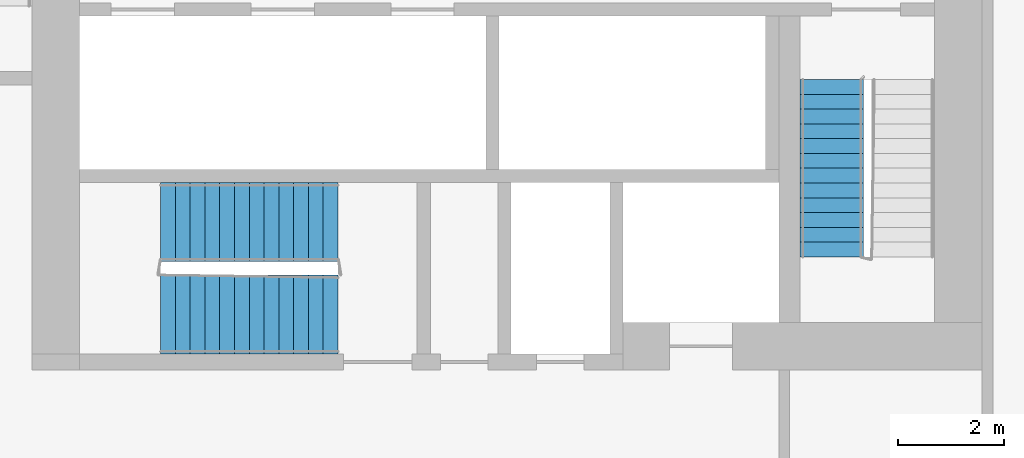
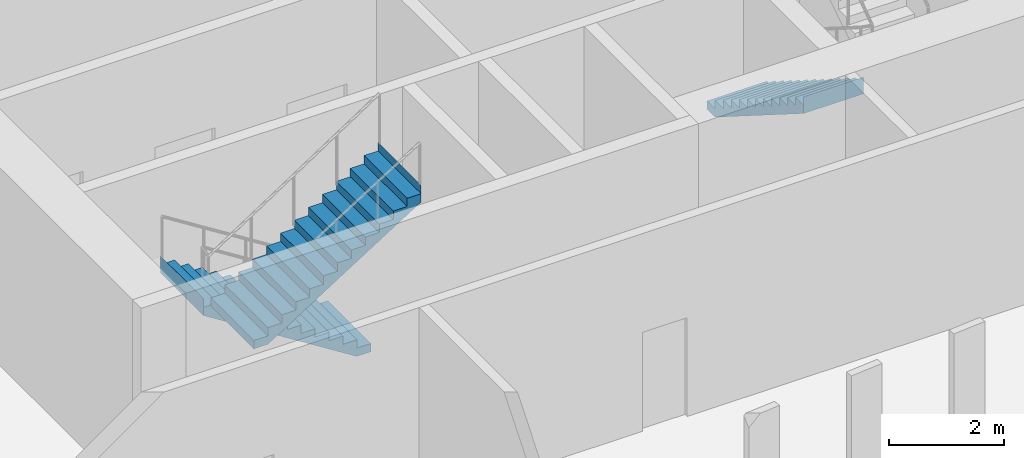
# One storey, part 17 of 22: 3 stair flights, 2 elements without a shape of their own.
"""IFC4 building model written with IfcOpenShell, lengths in metres."""

from ifc_helpers import new_model, si_unit, direction, frame, origin, place, context, subcontext, project, spatial, faceted_brep, material, type_object, element, aggregate, save


model = new_model("IFC4")

# Units and contexts
model_context = context("Model", 3, precision=1e-05, world=origin(), true_north=direction((0.0, 1.0)))
body_context = subcontext(model_context, "Body", "Model", "MODEL_VIEW")
ifc_project = project(units=[si_unit("LENGTHUNIT", "METRE"), si_unit("AREAUNIT", "SQUARE_METRE"), si_unit("VOLUMEUNIT", "CUBIC_METRE"), si_unit("PLANEANGLEUNIT", "RADIAN"), si_unit("MASSUNIT", "GRAM", prefix="KILO")], contexts=[model_context])

# Site, building, storey
site_placement = place(None, origin())
site = spatial("IfcSite", under=ifc_project, at=site_placement, CompositionType="ELEMENT")
building_placement = place(site_placement, origin())
building = spatial("IfcBuilding", under=site, at=building_placement, Name="Kajstack Hotel Tower", CompositionType="ELEMENT")
storey_placement = place(building_placement, frame((0.0, 0.0, 150.39990234375)))
storey = spatial("IfcBuildingStorey", under=building, at=storey_placement, Name="L35", CompositionType="ELEMENT", Elevation=150.39990234375)

# Stair, stair flight
ifc_material = material(Name="Concrete C40/50", Category="concrete")
stair_type_1 = type_object("IfcStairType", Name="Exit stair 1200", PredefinedType="HALF_TURN_STAIR", material=ifc_material)
stair_1_placement = place(storey_placement, origin())
stair_1 = element("IfcStair", 1, at=stair_1_placement, inside=storey, type_object=stair_type_1, Name="L35 stair W2", PredefinedType="HALF_TURN_STAIR")
stair_flight_type_1 = type_object("IfcStairFlightType", Name="Exit stair flight 1200", PredefinedType="STRAIGHT", material=ifc_material)
stair_flight_1_placement = place(storey_placement, frame((-16.35009765625, -10.0, 0.0), z_axis=(0.0, 0.0, 1.0), x_axis=(0.0, -1.0, 0.0)))
stair_flight_1 = element("IfcStairFlight", 2, at=stair_flight_1_placement, type_object=stair_flight_type_1, Name="W2 flight 1", NumberOfRisers=13, NumberOfTreads=12, PredefinedType="STRAIGHT", RiserHeight=0.176923077, TreadLength=0.28, context=body_context, shape_type="Brep", body=[
    faceted_brep([(0.281005859375, -0.60009765625, 0.0), (3.360595703125, -0.60009765625, 1.94580078125), (3.360595703125, -0.60009765625, 2.300048828125), (3.360107421875, -0.60009765625, 2.300048828125), (3.360107421875, -0.60009765625, 2.123046875), (3.080078125, -0.60009765625, 2.123046875), (3.080078125, -0.60009765625, 1.946044921875), (2.800048828125, -0.60009765625, 1.946044921875), (2.800048828125, -0.60009765625, 1.769287109375), (2.52001953125, -0.60009765625, 1.769287109375), (2.52001953125, -0.60009765625, 1.59228515625), (2.239990234375, -0.60009765625, 1.59228515625), (2.239990234375, -0.60009765625, 1.415283203125), (1.9599609375, -0.60009765625, 1.415283203125), (1.9599609375, -0.60009765625, 1.238525390625), (1.679931640625, -0.60009765625, 1.238525390625), (1.679931640625, -0.60009765625, 1.0615234375), (1.39990234375, -0.60009765625, 1.0615234375), (1.39990234375, -0.60009765625, 0.884521484375), (1.1201171875, -0.60009765625, 0.884521484375), (1.1201171875, -0.60009765625, 0.707763671875), (0.840087890625, -0.60009765625, 0.707763671875), (0.840087890625, -0.60009765625, 0.53076171875), (0.56005859375, -0.60009765625, 0.53076171875), (0.56005859375, -0.60009765625, 0.353759765625), (0.280029296875, -0.60009765625, 0.353759765625), (0.280029296875, -0.60009765625, 0.177001953125), (-0.00048828125, -0.60009765625, 0.177001953125), (-0.00048828125, -0.60009765625, 0.0), (-0.00048828125, 0.60009765625, 0.0), (-0.00048828125, 0.60009765625, 0.177001953125), (0.280029296875, 0.60009765625, 0.177001953125), (0.280029296875, 0.60009765625, 0.353759765625), (0.56005859375, 0.60009765625, 0.353759765625), (0.56005859375, 0.60009765625, 0.53076171875), (0.840087890625, 0.60009765625, 0.53076171875), (0.840087890625, 0.60009765625, 0.707763671875), (1.1201171875, 0.60009765625, 0.707763671875), (1.1201171875, 0.60009765625, 0.884521484375), (1.39990234375, 0.60009765625, 0.884521484375), (1.39990234375, 0.60009765625, 1.0615234375), (1.679931640625, 0.60009765625, 1.0615234375), (1.679931640625, 0.60009765625, 1.238525390625), (1.9599609375, 0.60009765625, 1.238525390625), (1.9599609375, 0.60009765625, 1.415283203125), (2.239990234375, 0.60009765625, 1.415283203125), (2.239990234375, 0.60009765625, 1.59228515625), (2.52001953125, 0.60009765625, 1.59228515625), (2.52001953125, 0.60009765625, 1.769287109375), (2.800048828125, 0.60009765625, 1.769287109375), (2.800048828125, 0.60009765625, 1.946044921875), (3.080078125, 0.60009765625, 1.946044921875), (3.080078125, 0.60009765625, 2.123046875), (3.360107421875, 0.60009765625, 2.123046875), (3.360107421875, 0.60009765625, 2.300048828125), (3.360595703125, 0.60009765625, 2.300048828125), (3.360595703125, 0.60009765625, 1.94580078125), (0.281005859375, 0.60009765625, 0.0), (-0.00048828125, -0.300048828125, 0.177001953125), (-0.00048828125, 0.0, 0.177001953125), (-0.00048828125, 0.300048828125, 0.177001953125), (-0.00048828125, 0.300048828125, 0.0), (-0.00048828125, 0.0, 0.0), (-0.00048828125, -0.300048828125, 0.0), (0.280029296875, -0.300048828125, 0.177001953125), (0.280029296875, 0.0, 0.177001953125), (0.280029296875, 0.300048828125, 0.177001953125), (0.280029296875, -0.300048828125, 0.353759765625), (0.280029296875, 0.0, 0.353759765625), (0.280029296875, 0.300048828125, 0.353759765625), (0.56005859375, -0.300048828125, 0.353759765625), (0.56005859375, 0.0, 0.353759765625), (0.56005859375, 0.300048828125, 0.353759765625), (0.56005859375, -0.300048828125, 0.53076171875), (0.56005859375, 0.0, 0.53076171875), (0.56005859375, 0.300048828125, 0.53076171875), (0.840087890625, -0.300048828125, 0.53076171875), (0.840087890625, 0.0, 0.53076171875), (0.840087890625, 0.300048828125, 0.53076171875), (0.840087890625, -0.300048828125, 0.707763671875), (0.840087890625, 0.0, 0.707763671875), (0.840087890625, 0.300048828125, 0.707763671875), (1.1201171875, -0.300048828125, 0.707763671875), (1.1201171875, 0.0, 0.707763671875), (1.1201171875, 0.300048828125, 0.707763671875), (1.1201171875, -0.300048828125, 0.884521484375), (1.1201171875, 0.0, 0.884521484375), (1.1201171875, 0.300048828125, 0.884521484375), (1.39990234375, -0.300048828125, 0.884521484375), (1.39990234375, 0.0, 0.884521484375), (1.39990234375, 0.300048828125, 0.884521484375), (1.39990234375, -0.300048828125, 1.0615234375), (1.39990234375, 0.0, 1.0615234375), (1.39990234375, 0.300048828125, 1.0615234375), (1.679931640625, -0.300048828125, 1.0615234375), (1.679931640625, 0.0, 1.0615234375), (1.679931640625, 0.300048828125, 1.0615234375), (1.679931640625, -0.300048828125, 1.238525390625), (1.679931640625, 0.0, 1.238525390625), (1.679931640625, 0.300048828125, 1.238525390625), (1.9599609375, -0.300048828125, 1.238525390625), (1.9599609375, 0.0, 1.238525390625), (1.9599609375, 0.300048828125, 1.238525390625), (1.9599609375, -0.300048828125, 1.415283203125), (1.9599609375, 0.0, 1.415283203125), (1.9599609375, 0.300048828125, 1.415283203125), (2.239990234375, -0.300048828125, 1.415283203125), (2.239990234375, 0.0, 1.415283203125), (2.239990234375, 0.300048828125, 1.415283203125), (2.239990234375, -0.300048828125, 1.59228515625), (2.239990234375, 0.0, 1.59228515625), (2.239990234375, 0.300048828125, 1.59228515625), (2.52001953125, -0.300048828125, 1.59228515625), (2.52001953125, 0.0, 1.59228515625), (2.52001953125, 0.300048828125, 1.59228515625), (2.52001953125, -0.300048828125, 1.769287109375), (2.52001953125, 0.0, 1.769287109375), (2.52001953125, 0.300048828125, 1.769287109375), (2.800048828125, -0.300048828125, 1.769287109375), (2.800048828125, 0.0, 1.769287109375), (2.800048828125, 0.300048828125, 1.769287109375), (2.800048828125, -0.300048828125, 1.946044921875), (2.800048828125, 0.0, 1.946044921875), (2.800048828125, 0.300048828125, 1.946044921875), (3.080078125, -0.300048828125, 1.946044921875), (3.080078125, 0.0, 1.946044921875), (3.080078125, 0.300048828125, 1.946044921875), (3.080078125, -0.300048828125, 2.123046875), (3.080078125, 0.0, 2.123046875), (3.080078125, 0.300048828125, 2.123046875), (3.360107421875, -0.300048828125, 2.123046875), (3.360107421875, 0.0, 2.123046875), (3.360107421875, 0.300048828125, 2.123046875), (3.360107421875, -0.300048828125, 2.300048828125), (3.360107421875, 0.0, 2.300048828125), (3.360107421875, 0.300048828125, 2.300048828125), (3.360595703125, -0.300048828125, 2.300048828125), (3.360595703125, 0.0, 2.300048828125), (3.360595703125, 0.300048828125, 2.300048828125), (3.360595703125, -0.300048828125, 1.94580078125), (3.360595703125, 0.0, 1.94580078125), (3.360595703125, 0.300048828125, 1.94580078125), (0.281005859375, -0.300048828125, 0.0), (0.281005859375, 0.0, 0.0), (0.281005859375, 0.300048828125, 0.0)], [[[0, 1, 2, 3, 4, 5, 6, 7, 8, 9, 10, 11, 12, 13, 14, 15, 16, 17, 18, 19, 20, 21, 22, 23, 24, 25, 26, 27, 28]], [[29, 30, 31, 32, 33, 34, 35, 36, 37, 38, 39, 40, 41, 42, 43, 44, 45, 46, 47, 48, 49, 50, 51, 52, 53, 54, 55, 56, 57]], [[27, 58, 59, 60, 30, 29, 61, 62, 63, 28]], [[26, 64, 65, 66, 31, 30, 60, 59, 58, 27]], [[25, 67, 68, 69, 32, 31, 66, 65, 64, 26]], [[24, 70, 71, 72, 33, 32, 69, 68, 67, 25]], [[23, 73, 74, 75, 34, 33, 72, 71, 70, 24]], [[22, 76, 77, 78, 35, 34, 75, 74, 73, 23]], [[21, 79, 80, 81, 36, 35, 78, 77, 76, 22]], [[20, 82, 83, 84, 37, 36, 81, 80, 79, 21]], [[19, 85, 86, 87, 38, 37, 84, 83, 82, 20]], [[18, 88, 89, 90, 39, 38, 87, 86, 85, 19]], [[17, 91, 92, 93, 40, 39, 90, 89, 88, 18]], [[16, 94, 95, 96, 41, 40, 93, 92, 91, 17]], [[15, 97, 98, 99, 42, 41, 96, 95, 94, 16]], [[14, 100, 101, 102, 43, 42, 99, 98, 97, 15]], [[13, 103, 104, 105, 44, 43, 102, 101, 100, 14]], [[12, 106, 107, 108, 45, 44, 105, 104, 103, 13]], [[11, 109, 110, 111, 46, 45, 108, 107, 106, 12]], [[10, 112, 113, 114, 47, 46, 111, 110, 109, 11]], [[9, 115, 116, 117, 48, 47, 114, 113, 112, 10]], [[8, 118, 119, 120, 49, 48, 117, 116, 115, 9]], [[7, 121, 122, 123, 50, 49, 120, 119, 118, 8]], [[6, 124, 125, 126, 51, 50, 123, 122, 121, 7]], [[5, 127, 128, 129, 52, 51, 126, 125, 124, 6]], [[4, 130, 131, 132, 53, 52, 129, 128, 127, 5]], [[3, 133, 134, 135, 54, 53, 132, 131, 130, 4]], [[2, 136, 137, 138, 55, 54, 135, 134, 133, 3]], [[1, 139, 140, 141, 56, 55, 138, 137, 136, 2]], [[0, 142, 143, 144, 57, 56, 141, 140, 139, 1]], [[28, 63, 62, 61, 29, 57, 144, 143, 142, 0]]]),
])
aggregate(stair_1, [stair_flight_1])

# Stair, stair flights
stair_type_2 = type_object("IfcStairType", Name="Exit stair 1500", PredefinedType="HALF_TURN_STAIR", material=ifc_material)
stair_2_placement = place(storey_placement, origin())
stair_2 = element("IfcStair", 3, at=stair_2_placement, inside=storey, type_object=stair_type_2, Name="L35 stair W3", PredefinedType="HALF_TURN_STAIR")
stair_flight_type_2 = type_object("IfcStairFlightType", Name="Exit stair flight 1500", PredefinedType="STRAIGHT", material=ifc_material)
stair_flight_2_placement = place(storey_placement, frame((-25.699951171875, -12.699951171875, 0.0), z_axis=(0.0, 0.0, 1.0), x_axis=(-1.0, 0.0, 0.0)))
stair_flight_2 = element("IfcStairFlight", 4, at=stair_flight_2_placement, type_object=stair_flight_type_2, Name="W3 flight 1", NumberOfRisers=13, NumberOfTreads=12, PredefinedType="STRAIGHT", RiserHeight=0.176923077, TreadLength=0.28, context=body_context, shape_type="Brep", body=[
    faceted_brep([(0.281005859375, -0.75, 0.0), (3.360595703125, -0.75, 1.94580078125), (3.360595703125, -0.75, 2.300048828125), (3.360107421875, -0.75, 2.300048828125), (3.360107421875, -0.75, 2.123046875), (3.080078125, -0.75, 2.123046875), (3.080078125, -0.75, 1.946044921875), (2.800048828125, -0.75, 1.946044921875), (2.800048828125, -0.75, 1.769287109375), (2.52001953125, -0.75, 1.769287109375), (2.52001953125, -0.75, 1.59228515625), (2.239990234375, -0.75, 1.59228515625), (2.239990234375, -0.75, 1.415283203125), (1.9599609375, -0.75, 1.415283203125), (1.9599609375, -0.75, 1.238525390625), (1.679931640625, -0.75, 1.238525390625), (1.679931640625, -0.75, 1.0615234375), (1.39990234375, -0.75, 1.0615234375), (1.39990234375, -0.75, 0.884521484375), (1.1201171875, -0.75, 0.884521484375), (1.1201171875, -0.75, 0.707763671875), (0.840087890625, -0.75, 0.707763671875), (0.840087890625, -0.75, 0.53076171875), (0.56005859375, -0.75, 0.53076171875), (0.56005859375, -0.75, 0.353759765625), (0.280029296875, -0.75, 0.353759765625), (0.280029296875, -0.75, 0.177001953125), (-0.00048828125, -0.75, 0.177001953125), (-0.00048828125, -0.75, 0.0), (-0.00048828125, 0.75, 0.0), (-0.00048828125, 0.75, 0.177001953125), (0.280029296875, 0.75, 0.177001953125), (0.280029296875, 0.75, 0.353759765625), (0.56005859375, 0.75, 0.353759765625), (0.56005859375, 0.75, 0.53076171875), (0.840087890625, 0.75, 0.53076171875), (0.840087890625, 0.75, 0.707763671875), (1.1201171875, 0.75, 0.707763671875), (1.1201171875, 0.75, 0.884521484375), (1.39990234375, 0.75, 0.884521484375), (1.39990234375, 0.75, 1.0615234375), (1.679931640625, 0.75, 1.0615234375), (1.679931640625, 0.75, 1.238525390625), (1.9599609375, 0.75, 1.238525390625), (1.9599609375, 0.75, 1.415283203125), (2.239990234375, 0.75, 1.415283203125), (2.239990234375, 0.75, 1.59228515625), (2.52001953125, 0.75, 1.59228515625), (2.52001953125, 0.75, 1.769287109375), (2.800048828125, 0.75, 1.769287109375), (2.800048828125, 0.75, 1.946044921875), (3.080078125, 0.75, 1.946044921875), (3.080078125, 0.75, 2.123046875), (3.360107421875, 0.75, 2.123046875), (3.360107421875, 0.75, 2.300048828125), (3.360595703125, 0.75, 2.300048828125), (3.360595703125, 0.75, 1.94580078125), (0.281005859375, 0.75, 0.0), (-0.00048828125, -0.375, 0.177001953125), (-0.00048828125, 0.0, 0.177001953125), (-0.00048828125, 0.375, 0.177001953125), (-0.00048828125, 0.375, 0.0), (-0.00048828125, 0.0, 0.0), (-0.00048828125, -0.375, 0.0), (0.280029296875, -0.375, 0.177001953125), (0.280029296875, 0.0, 0.177001953125), (0.280029296875, 0.375, 0.177001953125), (0.280029296875, -0.375, 0.353759765625), (0.280029296875, 0.0, 0.353759765625), (0.280029296875, 0.375, 0.353759765625), (0.56005859375, -0.375, 0.353759765625), (0.56005859375, 0.0, 0.353759765625), (0.56005859375, 0.375, 0.353759765625), (0.56005859375, -0.375, 0.53076171875), (0.56005859375, 0.0, 0.53076171875), (0.56005859375, 0.375, 0.53076171875), (0.840087890625, -0.375, 0.53076171875), (0.840087890625, 0.0, 0.53076171875), (0.840087890625, 0.375, 0.53076171875), (0.840087890625, -0.375, 0.707763671875), (0.840087890625, 0.0, 0.707763671875), (0.840087890625, 0.375, 0.707763671875), (1.1201171875, -0.375, 0.707763671875), (1.1201171875, 0.0, 0.707763671875), (1.1201171875, 0.375, 0.707763671875), (1.1201171875, -0.375, 0.884521484375), (1.1201171875, 0.0, 0.884521484375), (1.1201171875, 0.375, 0.884521484375), (1.39990234375, -0.375, 0.884521484375), (1.39990234375, 0.0, 0.884521484375), (1.39990234375, 0.375, 0.884521484375), (1.39990234375, -0.375, 1.0615234375), (1.39990234375, 0.0, 1.0615234375), (1.39990234375, 0.375, 1.0615234375), (1.679931640625, -0.375, 1.0615234375), (1.679931640625, 0.0, 1.0615234375), (1.679931640625, 0.375, 1.0615234375), (1.679931640625, -0.375, 1.238525390625), (1.679931640625, 0.0, 1.238525390625), (1.679931640625, 0.375, 1.238525390625), (1.9599609375, -0.375, 1.238525390625), (1.9599609375, 0.0, 1.238525390625), (1.9599609375, 0.375, 1.238525390625), (1.9599609375, -0.375, 1.415283203125), (1.9599609375, 0.0, 1.415283203125), (1.9599609375, 0.375, 1.415283203125), (2.239990234375, -0.375, 1.415283203125), (2.239990234375, 0.0, 1.415283203125), (2.239990234375, 0.375, 1.415283203125), (2.239990234375, -0.375, 1.59228515625), (2.239990234375, 0.0, 1.59228515625), (2.239990234375, 0.375, 1.59228515625), (2.52001953125, -0.375, 1.59228515625), (2.52001953125, 0.0, 1.59228515625), (2.52001953125, 0.375, 1.59228515625), (2.52001953125, -0.375, 1.769287109375), (2.52001953125, 0.0, 1.769287109375), (2.52001953125, 0.375, 1.769287109375), (2.800048828125, -0.375, 1.769287109375), (2.800048828125, 0.0, 1.769287109375), (2.800048828125, 0.375, 1.769287109375), (2.800048828125, -0.375, 1.946044921875), (2.800048828125, 0.0, 1.946044921875), (2.800048828125, 0.375, 1.946044921875), (3.080078125, -0.375, 1.946044921875), (3.080078125, 0.0, 1.946044921875), (3.080078125, 0.375, 1.946044921875), (3.080078125, -0.375, 2.123046875), (3.080078125, 0.0, 2.123046875), (3.080078125, 0.375, 2.123046875), (3.360107421875, -0.375, 2.123046875), (3.360107421875, 0.0, 2.123046875), (3.360107421875, 0.375, 2.123046875), (3.360107421875, -0.375, 2.300048828125), (3.360107421875, 0.0, 2.300048828125), (3.360107421875, 0.375, 2.300048828125), (3.360595703125, -0.375, 2.300048828125), (3.360595703125, 0.0, 2.300048828125), (3.360595703125, 0.375, 2.300048828125), (3.360595703125, -0.375, 1.94580078125), (3.360595703125, 0.0, 1.94580078125), (3.360595703125, 0.375, 1.94580078125), (0.281005859375, -0.375, 0.0), (0.281005859375, 0.0, 0.0), (0.281005859375, 0.375, 0.0)], [[[0, 1, 2, 3, 4, 5, 6, 7, 8, 9, 10, 11, 12, 13, 14, 15, 16, 17, 18, 19, 20, 21, 22, 23, 24, 25, 26, 27, 28]], [[29, 30, 31, 32, 33, 34, 35, 36, 37, 38, 39, 40, 41, 42, 43, 44, 45, 46, 47, 48, 49, 50, 51, 52, 53, 54, 55, 56, 57]], [[27, 58, 59, 60, 30, 29, 61, 62, 63, 28]], [[26, 64, 65, 66, 31, 30, 60, 59, 58, 27]], [[25, 67, 68, 69, 32, 31, 66, 65, 64, 26]], [[24, 70, 71, 72, 33, 32, 69, 68, 67, 25]], [[23, 73, 74, 75, 34, 33, 72, 71, 70, 24]], [[22, 76, 77, 78, 35, 34, 75, 74, 73, 23]], [[21, 79, 80, 81, 36, 35, 78, 77, 76, 22]], [[20, 82, 83, 84, 37, 36, 81, 80, 79, 21]], [[19, 85, 86, 87, 38, 37, 84, 83, 82, 20]], [[18, 88, 89, 90, 39, 38, 87, 86, 85, 19]], [[17, 91, 92, 93, 40, 39, 90, 89, 88, 18]], [[16, 94, 95, 96, 41, 40, 93, 92, 91, 17]], [[15, 97, 98, 99, 42, 41, 96, 95, 94, 16]], [[14, 100, 101, 102, 43, 42, 99, 98, 97, 15]], [[13, 103, 104, 105, 44, 43, 102, 101, 100, 14]], [[12, 106, 107, 108, 45, 44, 105, 104, 103, 13]], [[11, 109, 110, 111, 46, 45, 108, 107, 106, 12]], [[10, 112, 113, 114, 47, 46, 111, 110, 109, 11]], [[9, 115, 116, 117, 48, 47, 114, 113, 112, 10]], [[8, 118, 119, 120, 49, 48, 117, 116, 115, 9]], [[7, 121, 122, 123, 50, 49, 120, 119, 118, 8]], [[6, 124, 125, 126, 51, 50, 123, 122, 121, 7]], [[5, 127, 128, 129, 52, 51, 126, 125, 124, 6]], [[4, 130, 131, 132, 53, 52, 129, 128, 127, 5]], [[3, 133, 134, 135, 54, 53, 132, 131, 130, 4]], [[2, 136, 137, 138, 55, 54, 135, 134, 133, 3]], [[1, 139, 140, 141, 56, 55, 138, 137, 136, 2]], [[0, 142, 143, 144, 57, 56, 141, 140, 139, 1]], [[28, 63, 62, 61, 29, 57, 144, 143, 142, 0]]]),
])
stair_flight_3_placement = place(storey_placement, frame((-29.06005859375, -14.449951171875, 2.300048828125), z_axis=(0.0, 0.0, 1.0), x_axis=(1.0, 0.0, 0.0)))
stair_flight_3 = element("IfcStairFlight", 5, at=stair_flight_3_placement, type_object=stair_flight_type_2, Name="W3 flight 2", NumberOfRisers=13, NumberOfTreads=12, PredefinedType="STRAIGHT", RiserHeight=0.176923077, TreadLength=0.28, context=body_context, shape_type="Brep", body=[
    faceted_brep([(0.281005859375, -0.75, 0.0), (3.360595703125, -0.75, 1.94580078125), (3.360595703125, -0.75, 2.300048828125), (3.360107421875, -0.75, 2.300048828125), (3.360107421875, -0.75, 2.123046875), (3.080078125, -0.75, 2.123046875), (3.080078125, -0.75, 1.946044921875), (2.800048828125, -0.75, 1.946044921875), (2.800048828125, -0.75, 1.769287109375), (2.52001953125, -0.75, 1.769287109375), (2.52001953125, -0.75, 1.59228515625), (2.239990234375, -0.75, 1.59228515625), (2.239990234375, -0.75, 1.415283203125), (1.9599609375, -0.75, 1.415283203125), (1.9599609375, -0.75, 1.238525390625), (1.679931640625, -0.75, 1.238525390625), (1.679931640625, -0.75, 1.0615234375), (1.39990234375, -0.75, 1.0615234375), (1.39990234375, -0.75, 0.884521484375), (1.1201171875, -0.75, 0.884521484375), (1.1201171875, -0.75, 0.707763671875), (0.840087890625, -0.75, 0.707763671875), (0.840087890625, -0.75, 0.53076171875), (0.56005859375, -0.75, 0.53076171875), (0.56005859375, -0.75, 0.353759765625), (0.280029296875, -0.75, 0.353759765625), (0.280029296875, -0.75, 0.177001953125), (-0.00048828125, -0.75, 0.177001953125), (-0.00048828125, -0.75, 0.0), (-0.00048828125, 0.75, 0.0), (-0.00048828125, 0.75, 0.177001953125), (0.280029296875, 0.75, 0.177001953125), (0.280029296875, 0.75, 0.353759765625), (0.56005859375, 0.75, 0.353759765625), (0.56005859375, 0.75, 0.53076171875), (0.840087890625, 0.75, 0.53076171875), (0.840087890625, 0.75, 0.707763671875), (1.1201171875, 0.75, 0.707763671875), (1.1201171875, 0.75, 0.884521484375), (1.39990234375, 0.75, 0.884521484375), (1.39990234375, 0.75, 1.0615234375), (1.679931640625, 0.75, 1.0615234375), (1.679931640625, 0.75, 1.238525390625), (1.9599609375, 0.75, 1.238525390625), (1.9599609375, 0.75, 1.415283203125), (2.239990234375, 0.75, 1.415283203125), (2.239990234375, 0.75, 1.59228515625), (2.52001953125, 0.75, 1.59228515625), (2.52001953125, 0.75, 1.769287109375), (2.800048828125, 0.75, 1.769287109375), (2.800048828125, 0.75, 1.946044921875), (3.080078125, 0.75, 1.946044921875), (3.080078125, 0.75, 2.123046875), (3.360107421875, 0.75, 2.123046875), (3.360107421875, 0.75, 2.300048828125), (3.360595703125, 0.75, 2.300048828125), (3.360595703125, 0.75, 1.94580078125), (0.281005859375, 0.75, 0.0), (-0.00048828125, -0.375, 0.177001953125), (-0.00048828125, 0.0, 0.177001953125), (-0.00048828125, 0.375, 0.177001953125), (-0.00048828125, 0.375, 0.0), (-0.00048828125, 0.0, 0.0), (-0.00048828125, -0.375, 0.0), (0.280029296875, -0.375, 0.177001953125), (0.280029296875, 0.0, 0.177001953125), (0.280029296875, 0.375, 0.177001953125), (0.280029296875, -0.375, 0.353759765625), (0.280029296875, 0.0, 0.353759765625), (0.280029296875, 0.375, 0.353759765625), (0.56005859375, -0.375, 0.353759765625), (0.56005859375, 0.0, 0.353759765625), (0.56005859375, 0.375, 0.353759765625), (0.56005859375, -0.375, 0.53076171875), (0.56005859375, 0.0, 0.53076171875), (0.56005859375, 0.375, 0.53076171875), (0.840087890625, -0.375, 0.53076171875), (0.840087890625, 0.0, 0.53076171875), (0.840087890625, 0.375, 0.53076171875), (0.840087890625, -0.375, 0.707763671875), (0.840087890625, 0.0, 0.707763671875), (0.840087890625, 0.375, 0.707763671875), (1.1201171875, -0.375, 0.707763671875), (1.1201171875, 0.0, 0.707763671875), (1.1201171875, 0.375, 0.707763671875), (1.1201171875, -0.375, 0.884521484375), (1.1201171875, 0.0, 0.884521484375), (1.1201171875, 0.375, 0.884521484375), (1.39990234375, -0.375, 0.884521484375), (1.39990234375, 0.0, 0.884521484375), (1.39990234375, 0.375, 0.884521484375), (1.39990234375, -0.375, 1.0615234375), (1.39990234375, 0.0, 1.0615234375), (1.39990234375, 0.375, 1.0615234375), (1.679931640625, -0.375, 1.0615234375), (1.679931640625, 0.0, 1.0615234375), (1.679931640625, 0.375, 1.0615234375), (1.679931640625, -0.375, 1.238525390625), (1.679931640625, 0.0, 1.238525390625), (1.679931640625, 0.375, 1.238525390625), (1.9599609375, -0.375, 1.238525390625), (1.9599609375, 0.0, 1.238525390625), (1.9599609375, 0.375, 1.238525390625), (1.9599609375, -0.375, 1.415283203125), (1.9599609375, 0.0, 1.415283203125), (1.9599609375, 0.375, 1.415283203125), (2.239990234375, -0.375, 1.415283203125), (2.239990234375, 0.0, 1.415283203125), (2.239990234375, 0.375, 1.415283203125), (2.239990234375, -0.375, 1.59228515625), (2.239990234375, 0.0, 1.59228515625), (2.239990234375, 0.375, 1.59228515625), (2.52001953125, -0.375, 1.59228515625), (2.52001953125, 0.0, 1.59228515625), (2.52001953125, 0.375, 1.59228515625), (2.52001953125, -0.375, 1.769287109375), (2.52001953125, 0.0, 1.769287109375), (2.52001953125, 0.375, 1.769287109375), (2.800048828125, -0.375, 1.769287109375), (2.800048828125, 0.0, 1.769287109375), (2.800048828125, 0.375, 1.769287109375), (2.800048828125, -0.375, 1.946044921875), (2.800048828125, 0.0, 1.946044921875), (2.800048828125, 0.375, 1.946044921875), (3.080078125, -0.375, 1.946044921875), (3.080078125, 0.0, 1.946044921875), (3.080078125, 0.375, 1.946044921875), (3.080078125, -0.375, 2.123046875), (3.080078125, 0.0, 2.123046875), (3.080078125, 0.375, 2.123046875), (3.360107421875, -0.375, 2.123046875), (3.360107421875, 0.0, 2.123046875), (3.360107421875, 0.375, 2.123046875), (3.360107421875, -0.375, 2.300048828125), (3.360107421875, 0.0, 2.300048828125), (3.360107421875, 0.375, 2.300048828125), (3.360595703125, -0.375, 2.300048828125), (3.360595703125, 0.0, 2.300048828125), (3.360595703125, 0.375, 2.300048828125), (3.360595703125, -0.375, 1.94580078125), (3.360595703125, 0.0, 1.94580078125), (3.360595703125, 0.375, 1.94580078125), (0.281005859375, -0.375, 0.0), (0.281005859375, 0.0, 0.0), (0.281005859375, 0.375, 0.0)], [[[0, 1, 2, 3, 4, 5, 6, 7, 8, 9, 10, 11, 12, 13, 14, 15, 16, 17, 18, 19, 20, 21, 22, 23, 24, 25, 26, 27, 28]], [[29, 30, 31, 32, 33, 34, 35, 36, 37, 38, 39, 40, 41, 42, 43, 44, 45, 46, 47, 48, 49, 50, 51, 52, 53, 54, 55, 56, 57]], [[27, 58, 59, 60, 30, 29, 61, 62, 63, 28]], [[26, 64, 65, 66, 31, 30, 60, 59, 58, 27]], [[25, 67, 68, 69, 32, 31, 66, 65, 64, 26]], [[24, 70, 71, 72, 33, 32, 69, 68, 67, 25]], [[23, 73, 74, 75, 34, 33, 72, 71, 70, 24]], [[22, 76, 77, 78, 35, 34, 75, 74, 73, 23]], [[21, 79, 80, 81, 36, 35, 78, 77, 76, 22]], [[20, 82, 83, 84, 37, 36, 81, 80, 79, 21]], [[19, 85, 86, 87, 38, 37, 84, 83, 82, 20]], [[18, 88, 89, 90, 39, 38, 87, 86, 85, 19]], [[17, 91, 92, 93, 40, 39, 90, 89, 88, 18]], [[16, 94, 95, 96, 41, 40, 93, 92, 91, 17]], [[15, 97, 98, 99, 42, 41, 96, 95, 94, 16]], [[14, 100, 101, 102, 43, 42, 99, 98, 97, 15]], [[13, 103, 104, 105, 44, 43, 102, 101, 100, 14]], [[12, 106, 107, 108, 45, 44, 105, 104, 103, 13]], [[11, 109, 110, 111, 46, 45, 108, 107, 106, 12]], [[10, 112, 113, 114, 47, 46, 111, 110, 109, 11]], [[9, 115, 116, 117, 48, 47, 114, 113, 112, 10]], [[8, 118, 119, 120, 49, 48, 117, 116, 115, 9]], [[7, 121, 122, 123, 50, 49, 120, 119, 118, 8]], [[6, 124, 125, 126, 51, 50, 123, 122, 121, 7]], [[5, 127, 128, 129, 52, 51, 126, 125, 124, 6]], [[4, 130, 131, 132, 53, 52, 129, 128, 127, 5]], [[3, 133, 134, 135, 54, 53, 132, 131, 130, 4]], [[2, 136, 137, 138, 55, 54, 135, 134, 133, 3]], [[1, 139, 140, 141, 56, 55, 138, 137, 136, 2]], [[0, 142, 143, 144, 57, 56, 141, 140, 139, 1]], [[28, 63, 62, 61, 29, 57, 144, 143, 142, 0]]]),
])
aggregate(stair_2, [stair_flight_2, stair_flight_3])

save(model, "model.ifc")
